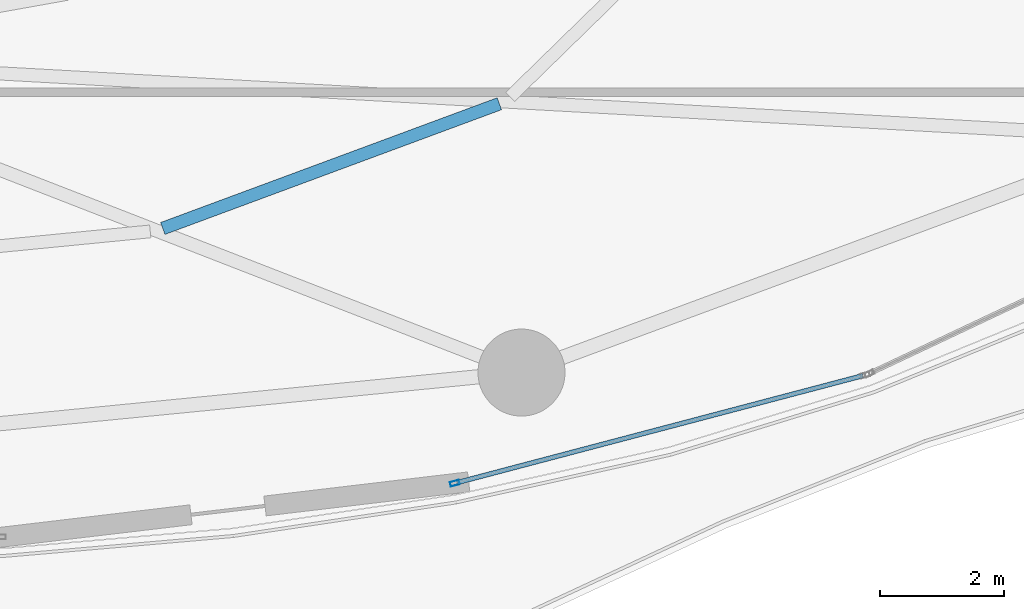
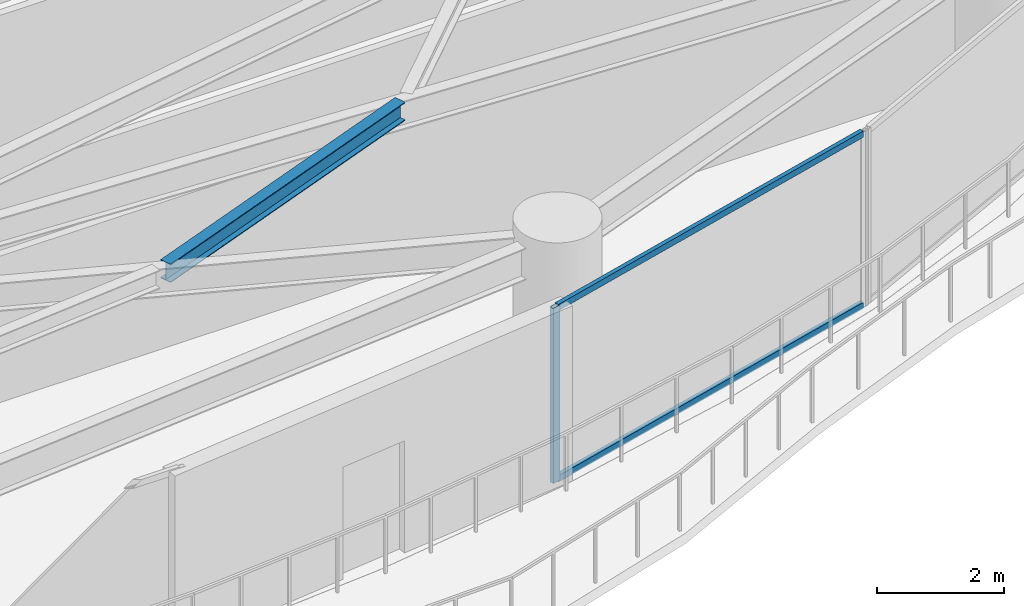
# One storey, part 12 of 30: 3 members, 1 beam, 1 element without a shape of its own.
"""IFC4 building model written with IfcOpenShell, lengths in metres."""

from ifc_helpers import new_model, si_unit, direction, frame, origin, origin_2d, place, context, subcontext, project, spatial, hollow_rectangle, i_section, extrude, material, layer, layer_set, material_profile, profile_set, type_object, element, aggregate, save


model = new_model("IFC4")

# Units and contexts
model_context = context("Model", 3, precision=1e-05, world=origin(), true_north=direction((0.0, 1.0)))
body_context = subcontext(model_context, "Body", "Model", "MODEL_VIEW")
ifc_project = project(units=[si_unit("LENGTHUNIT", "METRE"), si_unit("AREAUNIT", "SQUARE_METRE"), si_unit("VOLUMEUNIT", "CUBIC_METRE"), si_unit("PLANEANGLEUNIT", "RADIAN"), si_unit("MASSUNIT", "GRAM", prefix="KILO")], contexts=[model_context])

# Site, building, storey
site_placement = place(None, origin())
site = spatial("IfcSite", under=ifc_project, at=site_placement, CompositionType="ELEMENT")
building_placement = place(site_placement, origin())
building = spatial("IfcBuilding", under=site, at=building_placement, Name="Kazevale Care Tower and Concert Hall", CompositionType="ELEMENT")
storey_placement = place(building_placement, frame((0.0, 0.0, 70.800048828125)))
storey = spatial("IfcBuildingStorey", under=building, at=storey_placement, Name="L18", CompositionType="ELEMENT", Elevation=70.800048828125)

# Curtain wall, members
ifc_material_1 = material(Name="Aluminium 6063-T6 and Low-E Glass", Category="aluminium")
ifc_layer = layer(ifc_material_1, 0.179931640625)
ifc_layer_set = layer_set([ifc_layer], Name="Aluminium 6063-T6 and Low-E Glass")
curtain_wall_type = type_object("IfcCurtainWallType", Name="Sheltered Concave Balcony Curtain Wall CW-5", PredefinedType="NOTDEFINED", material=ifc_layer_set)
curtain_wall_placement = place(storey_placement, origin())
curtain_wall = element("IfcCurtainWall", 1, at=curtain_wall_placement, inside=storey, type_object=curtain_wall_type, Name="cw:L18:f04", PredefinedType="NOTDEFINED")
ifc_material_2 = material(Name="Aluminium 6063-T6", Category="aluminium")
ifc_material_profile_1 = material_profile(ifc_material_2, hollow_rectangle(XDim=0.074951171875, YDim=0.14990234375, WallThickness=0.00390625, at=origin_2d()), Name="ALU75x150x4")
ifc_profile_set_1 = profile_set([ifc_material_profile_1], Name="Aluminium 6063-T6")
member_type_1 = type_object("IfcMemberType", Name="CW-5 Mullion ALU75x150x4", PredefinedType="MULLION", material=ifc_profile_set_1)
member_1_placement = place(storey_placement, frame((55.96826171875, 16.75048828125, 0.0), z_axis=(0.0, 0.0, 1.0), x_axis=(0.254828630267, -0.966986230097, 0.0)))
member_1 = element("IfcMember", 2, at=member_1_placement, type_object=member_type_1, Name="CW-5 mullion 2", PredefinedType="MULLION", context=body_context, shape_type="SweptSolid", body=[
    extrude(hollow_rectangle(XDim=0.074951171875, YDim=0.14990234375, WallThickness=0.00390625, at=origin_2d()), origin(), (0.0, 0.0, 1.0), 3.35986328125),
])
ifc_material_profile_2 = material_profile(ifc_material_2, hollow_rectangle(XDim=0.074951171875, YDim=0.1201171875, WallThickness=0.00390625, at=origin_2d()), Name="ALU75x120x4")
ifc_profile_set_2 = profile_set([ifc_material_profile_2], Name="Aluminium 6063-T6")
member_type_2 = type_object("IfcMemberType", Name="CW-5 Transom ALU75x120x4", PredefinedType="USERDEFINED", material=ifc_profile_set_2)
member_2_placement = place(storey_placement, frame((62.530517578125, 18.47998046875, 0.037353515625), z_axis=(-0.966978405759, -0.254858319064, 0.0), x_axis=(0.254858319064, -0.966978405759, 0.0)))
member_2 = element("IfcMember", 3, at=member_2_placement, type_object=member_type_2, Name="CW-5 transom 1.1", ObjectType="TRANSOM", PredefinedType="USERDEFINED", context=body_context, shape_type="SweptSolid", body=[
    extrude(hollow_rectangle(XDim=0.074951171875, YDim=0.1201171875, WallThickness=0.00390625, at=origin_2d()), origin(), (0.0, 0.0, 1.0), 6.748779296875),
])
member_3_placement = place(storey_placement, frame((62.530517578125, 18.47998046875, 3.322509765625), z_axis=(-0.966978405759, -0.254858319064, 0.0), x_axis=(0.254858319064, -0.966978405759, 0.0)))
member_3 = element("IfcMember", 4, at=member_3_placement, type_object=member_type_2, Name="CW-5 transom 1.2", ObjectType="TRANSOM", PredefinedType="USERDEFINED", context=body_context, shape_type="SweptSolid", body=[
    extrude(hollow_rectangle(XDim=0.074951171875, YDim=0.1201171875, WallThickness=0.00390625, at=origin_2d()), origin(), (0.0, 0.0, 1.0), 6.748779296875),
])
aggregate(curtain_wall, [member_1, member_2, member_3])

# Beam
ifc_material_3 = material(Name="Steel ASTM A572 Gr 50", Category="steel")
ifc_material_profile_3 = material_profile(ifc_material_3, i_section(OverallWidth=0.205078125, OverallDepth=0.35400390625, WebThickness=0.009521484375, FlangeThickness=0.016845703125, at=origin_2d()), Name="W360x79")
ifc_profile_set_3 = profile_set([ifc_material_profile_3], Name="Steel ASTM A572 Gr 50")
beam_type = type_object("IfcBeamType", Name="Secondary Floor Joist W360x79", PredefinedType="JOIST", material=ifc_profile_set_3)
beam_placement = place(storey_placement, frame((51.27001953125, 20.847900390625, 3.182861328125), z_axis=(0.937698254396, 0.347450692477, 0.0), x_axis=(-0.347450692477, 0.937698254396, 0.0)))
element("IfcBeam", 5, at=beam_placement, inside=storey, type_object=beam_type, Name="beam:L18:joist:14", PredefinedType="JOIST", context=body_context, shape_type="SweptSolid", body=[
    extrude(i_section(OverallWidth=0.205078125, OverallDepth=0.35400390625, WebThickness=0.009521484375, FlangeThickness=0.016845703125, at=origin_2d()), origin(), (0.0, 0.0, 1.0), 5.773681640625),
])

save(model, "model.ifc")
